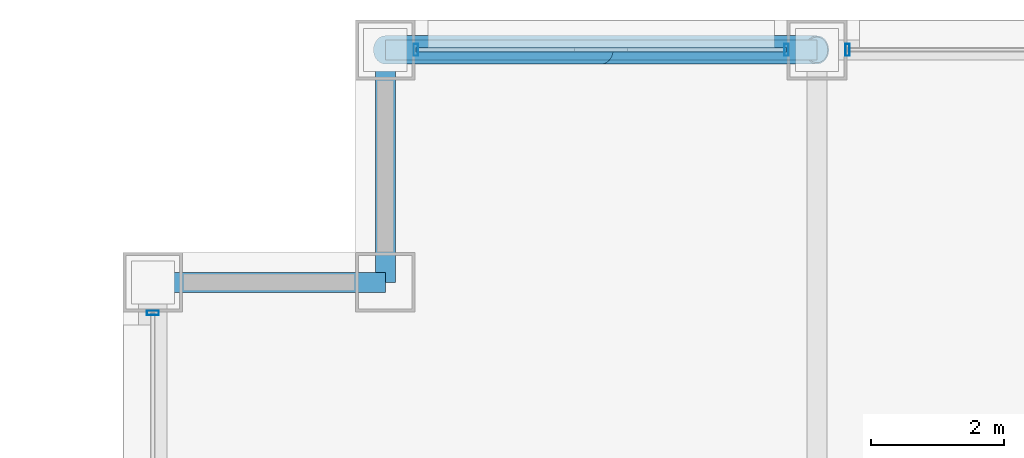
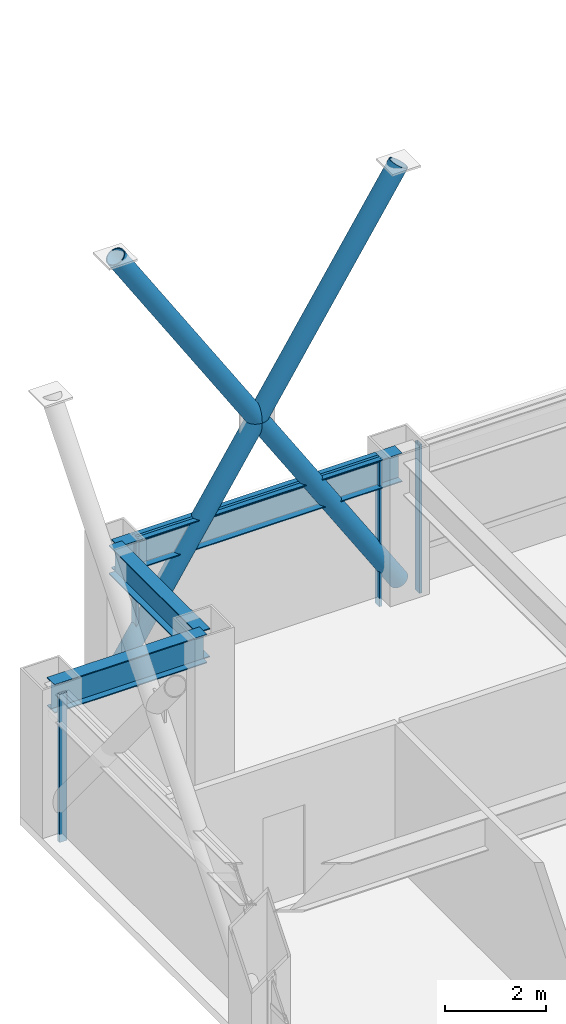
# One storey, part 17 of 29: 8 members, 3 beams, 3 elements without a shape of their own.
"""IFC4 building model written with IfcOpenShell, lengths in metres."""

from ifc_helpers import new_model, si_unit, direction, frame, origin, origin_2d, place, context, subcontext, project, spatial, hollow_rectangle, hollow_circle, i_section, extrude, material, layer, layer_set, material_profile, profile_set, type_object, element, aggregate, save


model = new_model("IFC4")

# Units and contexts
model_context = context("Model", 3, precision=1e-05, world=origin(), true_north=direction((0.0, 1.0)))
body_context = subcontext(model_context, "Body", "Model", "MODEL_VIEW")
ifc_project = project(units=[si_unit("LENGTHUNIT", "METRE"), si_unit("AREAUNIT", "SQUARE_METRE"), si_unit("VOLUMEUNIT", "CUBIC_METRE"), si_unit("PLANEANGLEUNIT", "RADIAN"), si_unit("MASSUNIT", "GRAM", prefix="KILO")], contexts=[model_context])

# Site, building, storey
site_placement = place(None, origin())
site = spatial("IfcSite", under=ifc_project, at=site_placement, CompositionType="ELEMENT")
building_placement = place(site_placement, origin())
building = spatial("IfcBuilding", under=site, at=building_placement, Name="Brelmoor Portico Tower", CompositionType="ELEMENT")
storey_placement = place(building_placement, frame((0.0, 0.0, 67.199951171875)))
storey = spatial("IfcBuildingStorey", under=building, at=storey_placement, Name="L17", CompositionType="ELEMENT", Elevation=67.199951171875)

# Beams
ifc_material_1 = material(Name="Steel Q355B", Category="steel")
ifc_material_profile_1 = material_profile(ifc_material_1, i_section(OverallWidth=0.300048828125, OverallDepth=0.699951171875, WebThickness=0.012939453125, FlangeThickness=0.02392578125, at=origin_2d()), Name="HN 700x300x13x24")
ifc_profile_set_1 = profile_set([ifc_material_profile_1], Name="Steel Q355B")
beam_type = type_object("IfcBeamType", Name="BM-SP-700", PredefinedType="SPANDREL", material=ifc_profile_set_1)
beam_1_placement = place(storey_placement, frame((-24.550048828125, 18.050048828125, 3.050048828125), z_axis=(1.0, 0.0, 0.0), x_axis=(0.0, 1.0, 0.0)))
element("IfcBeam", 1, at=beam_1_placement, inside=storey, type_object=beam_type, Name="L17 Perimeter Spandrel Beam SP-08", PredefinedType="SPANDREL", context=body_context, shape_type="SweptSolid", body=[
    extrude(i_section(OverallWidth=0.300048828125, OverallDepth=0.699951171875, WebThickness=0.012939453125, FlangeThickness=0.02392578125, at=origin_2d()), origin(), (0.0, 0.0, 1.0), 3.5),
])
beam_2_placement = place(storey_placement, frame((-21.050048828125, 21.550048828125, 3.050048828125), z_axis=(1.0, 0.0, 0.0), x_axis=(0.0, 1.0, 0.0)))
element("IfcBeam", 2, at=beam_2_placement, inside=storey, type_object=beam_type, Name="L17 Perimeter Spandrel Beam SP-10", PredefinedType="SPANDREL", context=body_context, shape_type="SweptSolid", body=[
    extrude(i_section(OverallWidth=0.300048828125, OverallDepth=0.699951171875, WebThickness=0.012939453125, FlangeThickness=0.02392578125, at=origin_2d()), origin(), (0.0, 0.0, 1.0), 6.5),
])
beam_3_placement = place(storey_placement, frame((-21.050048828125, 18.050048828125, 3.050048828125), z_axis=(0.0, 1.0, 0.0), x_axis=(-1.0, 0.0, 0.0)))
element("IfcBeam", 3, at=beam_3_placement, inside=storey, type_object=beam_type, Name="L17 Perimeter Spandrel Beam SP-19", PredefinedType="SPANDREL", context=body_context, shape_type="SweptSolid", body=[
    extrude(i_section(OverallWidth=0.300048828125, OverallDepth=0.699951171875, WebThickness=0.012939453125, FlangeThickness=0.02392578125, at=origin_2d()), origin(), (0.0, 0.0, 1.0), 3.5),
])

# Members
ifc_material_profile_2 = material_profile(ifc_material_1, hollow_circle(Radius=0.212890625, WallThickness=0.02001953125, at=origin_2d()), Name="CHS 426x20")
ifc_profile_set_2 = profile_set([ifc_material_profile_2], Name="Steel Q355B")
member_type_1 = type_object("IfcMemberType", Name="MB-BELT-DIAG1", PredefinedType="BRACE", material=ifc_profile_set_2)
member_1_placement = place(storey_placement, frame((-21.050048828125, 21.550048828125, 0.25), z_axis=(0.541174623135, 0.0, 0.840910237347), x_axis=(0.0, 1.0, 0.0)))
element("IfcMember", 4, at=member_1_placement, inside=storey, type_object=member_type_1, Name="L17 Continuous Mega-X Brace 036A", PredefinedType="BRACE", context=body_context, shape_type="SweptSolid", body=[
    extrude(hollow_circle(Radius=0.212890625, WallThickness=0.02001953125, at=origin_2d()), origin(), (0.0, 0.0, 1.0), 12.010986328125),
])
for number, where, z_axis, x_axis, name in (
    (5, (-14.550048828125, 21.550048828125, 0.25), (-0.541174623135, 0.0, 0.840910237347), (0.0, -1.0, 0.0), "L17 Split Mega-X Brace 036B1"),
    (6, (-17.800048828125, 21.550048828125, 5.300048828125), (-0.541174623135, 0.0, 0.840910237347), (0.0, -1.0, 0.0), "L17 Split Mega-X Brace 036B2"),
):
    element("IfcMember", number, at=place(storey_placement, frame(where, z_axis=z_axis, x_axis=x_axis)), inside=storey, type_object=member_type_1, Name=name, PredefinedType="BRACE", context=body_context, shape_type="SweptSolid", body=[
        extrude(hollow_circle(Radius=0.212890625, WallThickness=0.02001953125, at=origin_2d()), origin(), (0.0, 0.0, 1.0), 6.00537109375),
    ])

# Curtain wall, members
ifc_material_2 = material(Name="Anodised Aluminium Alloy 6063-T6", Category="aluminium")
ifc_layer_1 = layer(ifc_material_2, 0.179931640625)
ifc_layer_set_1 = layer_set([ifc_layer_1], Name="Anodised Aluminium Alloy 6063-T6")
curtain_wall_type_1 = type_object("IfcCurtainWallType", Name="CW-TOWER-Z1-XB", PredefinedType="NOTDEFINED", material=ifc_layer_set_1)
curtain_wall_1_placement = place(storey_placement, origin())
curtain_wall_1 = element("IfcCurtainWall", 7, at=curtain_wall_1_placement, inside=storey, type_object=curtain_wall_type_1, Name="L17 Curtain Wall CW-L17-02-1", PredefinedType="NOTDEFINED")
ifc_material_profile_3 = material_profile(ifc_material_2, hollow_rectangle(XDim=0.06494140625, YDim=0.179931640625, WallThickness=0.00390625, at=origin_2d()), Name="ALU MULLION 65x180")
ifc_profile_set_3 = profile_set([ifc_material_profile_3], Name="Anodised Aluminium Alloy 6063-T6")
member_type_2 = type_object("IfcMemberType", Name="MB-CW-MULL-180", PredefinedType="MULLION", material=ifc_profile_set_3)
member_2_placement = place(storey_placement, frame((-20.590087890625, 21.550048828125, -0.199951171875), z_axis=(0.0, 0.0, 1.0), x_axis=(1.0, 0.0, 0.0)))
member_2 = element("IfcMember", 8, at=member_2_placement, type_object=member_type_2, Name="CW-L17-02-1 Mullion 00", PredefinedType="MULLION", context=body_context, shape_type="SweptSolid", body=[
    extrude(hollow_rectangle(XDim=0.06494140625, YDim=0.179931640625, WallThickness=0.00390625, at=origin_2d()), origin(), (0.0, 0.0, 1.0), 3.60009765625),
])
member_3_placement = place(storey_placement, frame((-15.010009765625, 21.550048828125, -0.199951171875), z_axis=(0.0, 0.0, 1.0), x_axis=(1.0, 0.0, 0.0)))
member_3 = element("IfcMember", 9, at=member_3_placement, type_object=member_type_2, Name="CW-L17-02-1 Mullion 01", PredefinedType="MULLION", context=body_context, shape_type="SweptSolid", body=[
    extrude(hollow_rectangle(XDim=0.06494140625, YDim=0.179931640625, WallThickness=0.00390625, at=origin_2d()), origin(), (0.0, 0.0, 1.0), 3.60009765625),
])

# Curtain wall, member
ifc_layer_2 = layer(ifc_material_2, 0.179931640625)
ifc_layer_set_2 = layer_set([ifc_layer_2], Name="Anodised Aluminium Alloy 6063-T6")
curtain_wall_type_2 = type_object("IfcCurtainWallType", Name="CW-TOWER-Z1", PredefinedType="NOTDEFINED", material=ifc_layer_set_2)
curtain_wall_2_placement = place(storey_placement, origin())
curtain_wall_2 = element("IfcCurtainWall", 10, at=curtain_wall_2_placement, inside=storey, type_object=curtain_wall_type_2, Name="L17 Curtain Wall CW-L17-02-2", PredefinedType="NOTDEFINED")
member_4_placement = place(storey_placement, frame((-14.090087890625, 21.550048828125, -0.199951171875), z_axis=(0.0, 0.0, 1.0), x_axis=(1.0, 0.0, 0.0)))
member_4 = element("IfcMember", 11, at=member_4_placement, type_object=member_type_2, Name="CW-L17-02-2 Mullion 00", PredefinedType="MULLION", context=body_context, shape_type="SweptSolid", body=[
    extrude(hollow_rectangle(XDim=0.06494140625, YDim=0.179931640625, WallThickness=0.00390625, at=origin_2d()), origin(), (0.0, 0.0, 1.0), 3.60009765625),
])
aggregate(curtain_wall_2, [member_4])

curtain_wall_3_placement = place(storey_placement, origin())
curtain_wall_3 = element("IfcCurtainWall", 12, at=curtain_wall_3_placement, inside=storey, type_object=curtain_wall_type_1, Name="L17 Curtain Wall CW-L17-3R-2", PredefinedType="NOTDEFINED")
member_5_placement = place(storey_placement, frame((-24.550048828125, 17.590087890625, -0.199951171875), z_axis=(0.0, 0.0, 1.0), x_axis=(0.0, 1.0, 0.0)))
member_5 = element("IfcMember", 13, at=member_5_placement, type_object=member_type_2, Name="CW-L17-3R-2 Mullion 01", PredefinedType="MULLION", context=body_context, shape_type="SweptSolid", body=[
    extrude(hollow_rectangle(XDim=0.06494140625, YDim=0.179931640625, WallThickness=0.00390625, at=origin_2d()), origin(), (0.0, 0.0, 1.0), 3.60009765625),
])
aggregate(curtain_wall_3, [member_5])

# Member
ifc_material_profile_4 = material_profile(ifc_material_2, hollow_rectangle(XDim=0.06494140625, YDim=0.139892578125, WallThickness=0.00390625, at=origin_2d()), Name="ALU TRANSOM 65x140")
ifc_profile_set_4 = profile_set([ifc_material_profile_4], Name="Anodised Aluminium Alloy 6063-T6")
member_type_3 = type_object("IfcMemberType", Name="MB-CW-TRAN-140", PredefinedType="USERDEFINED", material=ifc_profile_set_4)
member_6_placement = place(storey_placement, frame((-20.590087890625, 21.550048828125, 3.330078125), z_axis=(1.0, 0.0, 0.0), x_axis=(0.0, 1.0, 0.0)))
member_6 = element("IfcMember", 14, at=member_6_placement, type_object=member_type_3, Name="CW-L17-02-1 Transom 1-00", ObjectType="TRANSOM", PredefinedType="USERDEFINED", context=body_context, shape_type="SweptSolid", body=[
    extrude(hollow_rectangle(XDim=0.06494140625, YDim=0.139892578125, WallThickness=0.00390625, at=origin_2d()), origin(), (0.0, 0.0, 1.0), 5.580078125),
])

aggregate(curtain_wall_1, [member_2, member_3, member_6])

save(model, "model.ifc")
